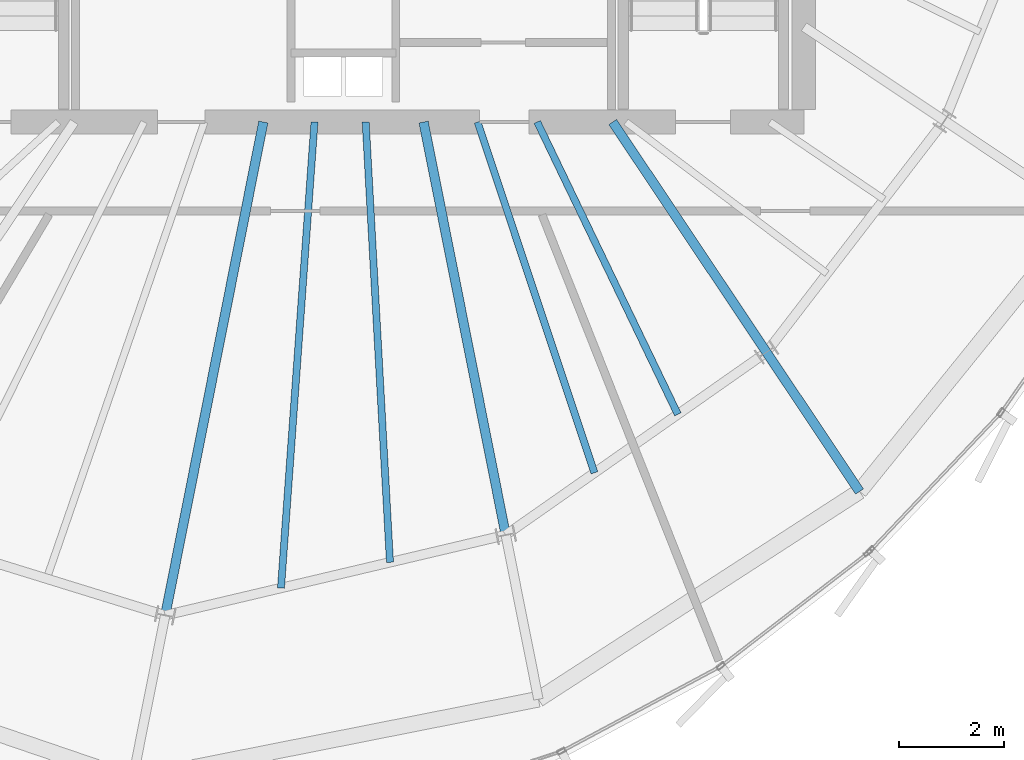
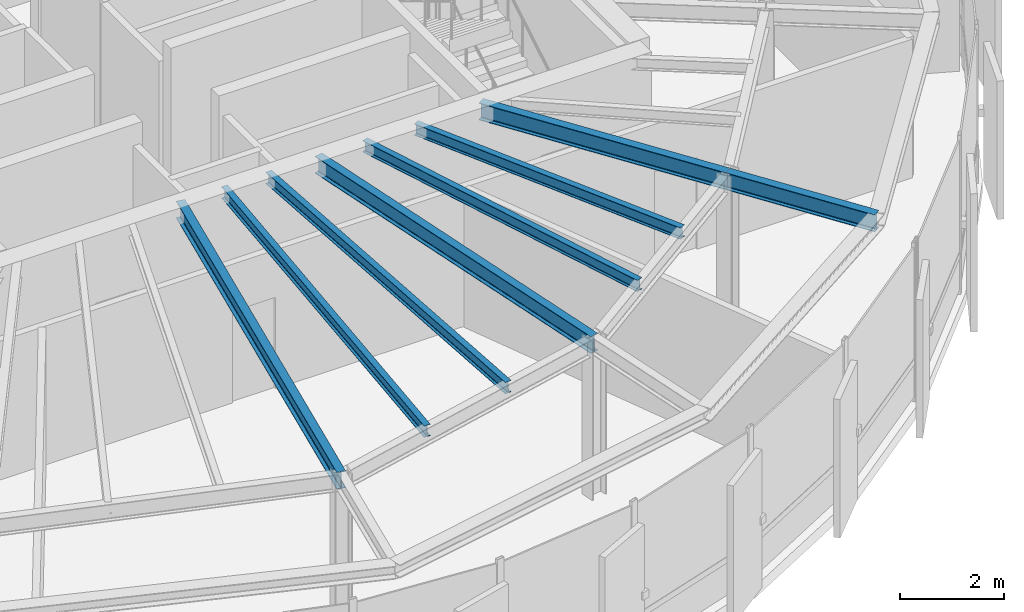
# One storey, part 8 of 25: 8 beams.
"""IFC4 building model written with IfcOpenShell, lengths in metres."""

from ifc_helpers import new_model, si_unit, direction, frame, origin, origin_2d, place, context, subcontext, project, spatial, i_section, extrude, source, transform, mapped, material, material_profile, profile_set, type_object, element, save


model = new_model("IFC4")

# Units and contexts
model_context = context("Model", 3, precision=1e-05, world=origin(), true_north=direction((0.0, 1.0)))
body_context = subcontext(model_context, "Body", "Model", "MODEL_VIEW")
ifc_project = project(units=[si_unit("LENGTHUNIT", "METRE"), si_unit("AREAUNIT", "SQUARE_METRE"), si_unit("VOLUMEUNIT", "CUBIC_METRE"), si_unit("PLANEANGLEUNIT", "RADIAN"), si_unit("MASSUNIT", "GRAM", prefix="KILO"), si_unit("THERMODYNAMICTEMPERATUREUNIT", "KELVIN")], contexts=[model_context])

# Site, building, storey
site_placement = place(None, origin())
site = spatial("IfcSite", under=ifc_project, at=site_placement, CompositionType="ELEMENT")
building_placement = place(site_placement, origin())
building = spatial("IfcBuilding", under=site, at=building_placement, Name="Kethvar Cultural Tower", CompositionType="ELEMENT")
storey_placement = place(building_placement, frame((0.0, 0.0, 304.300048828125)))
storey = spatial("IfcBuildingStorey", under=building, at=storey_placement, Name="L81", CompositionType="ELEMENT", Elevation=304.300048828125)

# Beams
ifc_material = material(Name="Steel S355J2", Category="steel")
ifc_material_profile_1 = material_profile(ifc_material, i_section(OverallWidth=0.135009765625, OverallDepth=0.27001953125, WebThickness=0.006591796875, FlangeThickness=0.01025390625, FilletRadius=0.014892578125, at=origin_2d()), Name="Steel S355J2 — IPE270")
ifc_profile_set_1 = profile_set([ifc_material_profile_1], Name="Steel S355J2 — IPE270")
beam_type_1 = type_object("IfcBeamType", Name="BM-J270", PredefinedType="JOIST", material=ifc_profile_set_1)
shared_shape_1 = source(origin(), body_context, "Body", "SweptSolid", [
    extrude(i_section(OverallWidth=0.135009765625, OverallDepth=0.27001953125, WebThickness=0.006591796875, FlangeThickness=0.01025390625, FilletRadius=0.014892578125, at=origin_2d()), origin(), (0.0, 0.0, 1.0), 8.9296875),
])
beam_1_placement = place(storey_placement, frame((46.246337890625, 20.10009765625, 3.597900390625), z_axis=(-0.071713352262, -0.99742528297, 0.0), x_axis=(0.99742528297, -0.071713352262, 0.0)))
element("IfcBeam", 1, at=beam_1_placement, inside=storey, type_object=beam_type_1, Name="L81 Composite Floor Joist J-12A", PredefinedType="JOIST", context=body_context, shape_type="MappedRepresentation", body=[
    mapped(shared_shape_1, transform((0.0, 0.0, 0.0), scale=1.0)),
])
shared_shape_2 = source(origin(), body_context, "Body", "SweptSolid", [
    extrude(i_section(OverallWidth=0.135009765625, OverallDepth=0.27001953125, WebThickness=0.006591796875, FlangeThickness=0.01025390625, FilletRadius=0.014892578125, at=origin_2d()), origin(), (0.0, 0.0, 1.0), 8.427978515625),
])
beam_2_placement = place(storey_placement, frame((47.224609375, 20.10009765625, 3.597900390625), z_axis=(0.055067321535, -0.998482643865, 0.0), x_axis=(0.998482643865, 0.055067321535, 0.0)))
element("IfcBeam", 2, at=beam_2_placement, inside=storey, type_object=beam_type_1, Name="L81 Composite Floor Joist J-12B", PredefinedType="JOIST", context=body_context, shape_type="MappedRepresentation", body=[
    mapped(shared_shape_2, transform((0.0, 0.0, 0.0), scale=1.0)),
])
shared_shape_3 = source(origin(), body_context, "Body", "SweptSolid", [
    extrude(i_section(OverallWidth=0.135009765625, OverallDepth=0.27001953125, WebThickness=0.006591796875, FlangeThickness=0.01025390625, FilletRadius=0.014892578125, at=origin_2d()), origin(), (0.0, 0.0, 1.0), 7.0673828125),
])
beam_3_placement = place(storey_placement, frame((49.363525390625, 20.10009765625, 3.597900390625), z_axis=(0.315875389768, -0.948800684095, 0.0), x_axis=(0.948800684095, 0.315875389768, 0.0)))
element("IfcBeam", 3, at=beam_3_placement, inside=storey, type_object=beam_type_1, Name="L81 Composite Floor Joist J-13A", PredefinedType="JOIST", context=body_context, shape_type="MappedRepresentation", body=[
    mapped(shared_shape_3, transform((0.0, 0.0, 0.0), scale=1.0)),
])
shared_shape_4 = source(origin(), body_context, "Body", "SweptSolid", [
    extrude(i_section(OverallWidth=0.135009765625, OverallDepth=0.27001953125, WebThickness=0.006591796875, FlangeThickness=0.01025390625, FilletRadius=0.014892578125, at=origin_2d()), origin(), (0.0, 0.0, 1.0), 6.2001953125),
])
beam_4_placement = place(storey_placement, frame((50.50341796875, 20.10009765625, 3.597900390625), z_axis=(0.433410678328, -0.901196529017, 0.0), x_axis=(0.901196529017, 0.433410678328, 0.0)))
element("IfcBeam", 4, at=beam_4_placement, inside=storey, type_object=beam_type_1, Name="L81 Composite Floor Joist J-13B", PredefinedType="JOIST", context=body_context, shape_type="MappedRepresentation", body=[
    mapped(shared_shape_4, transform((0.0, 0.0, 0.0), scale=1.0)),
])
ifc_material_profile_2 = material_profile(ifc_material, i_section(OverallWidth=0.179931640625, OverallDepth=0.39990234375, WebThickness=0.008544921875, FlangeThickness=0.013427734375, FilletRadius=0.02099609375, at=origin_2d()), Name="Steel S355J2 — IPE400")
ifc_profile_set_2 = profile_set([ifc_material_profile_2], Name="Steel S355J2 — IPE400")
beam_type_2 = type_object("IfcBeamType", Name="BM-IPE400", PredefinedType="BEAM", material=ifc_profile_set_2)
shared_shape_5 = source(origin(), body_context, "Body", "SweptSolid", [
    extrude(i_section(OverallWidth=0.179931640625, OverallDepth=0.39990234375, WebThickness=0.008544921875, FlangeThickness=0.013427734375, FilletRadius=0.02099609375, at=origin_2d()), origin(), (0.0, 0.0, 1.0), 3.199951171875),
])
beam_5_placement = place(storey_placement, frame((54.885009765625, 15.7001953125, 3.532958984375), z_axis=(0.555492222339, -0.83152173208, 0.0), x_axis=(0.83152173208, 0.555492222339, 0.0)))
element("IfcBeam", 5, at=beam_5_placement, inside=storey, type_object=beam_type_2, Name="L81 Perimeter Cantilever Beam RC-14", PredefinedType="BEAM", context=body_context, shape_type="MappedRepresentation", body=[
    mapped(shared_shape_5, transform((0.0, 0.0, 0.0), scale=1.0)),
])
shared_shape_6 = source(origin(), body_context, "Body", "SweptSolid", [
    extrude(i_section(OverallWidth=0.179931640625, OverallDepth=0.39990234375, WebThickness=0.008544921875, FlangeThickness=0.013427734375, FilletRadius=0.02099609375, at=origin_2d()), origin(), (0.0, 0.0, 1.0), 9.613525390625),
])
beam_6_placement = place(storey_placement, frame((45.268310546875, 20.10009765625, 3.532958984375), z_axis=(-0.195090428816, -0.980785259159, 0.0), x_axis=(0.980785259159, -0.195090428816, 0.0)))
element("IfcBeam", 6, at=beam_6_placement, inside=storey, type_object=beam_type_2, Name="L81 Primary Radial Beam RB-12", PredefinedType="BEAM", context=body_context, shape_type="MappedRepresentation", body=[
    mapped(shared_shape_6, transform((0.0, 0.0, 0.0), scale=1.0)),
])
shared_shape_7 = source(origin(), body_context, "Body", "SweptSolid", [
    extrude(i_section(OverallWidth=0.179931640625, OverallDepth=0.39990234375, WebThickness=0.008544921875, FlangeThickness=0.013427734375, FilletRadius=0.02099609375, at=origin_2d()), origin(), (0.0, 0.0, 1.0), 8.0478515625),
])
beam_7_placement = place(storey_placement, frame((48.33154296875, 20.10009765625, 3.532958984375), z_axis=(0.195089278796, -0.980785487912, 0.0), x_axis=(0.980785487912, 0.195089278796, 0.0)))
element("IfcBeam", 7, at=beam_7_placement, inside=storey, type_object=beam_type_2, Name="L81 Primary Radial Beam RB-13", PredefinedType="BEAM", context=body_context, shape_type="MappedRepresentation", body=[
    mapped(shared_shape_7, transform((0.0, 0.0, 0.0), scale=1.0)),
])
shared_shape_8 = source(origin(), body_context, "Body", "SweptSolid", [
    extrude(i_section(OverallWidth=0.179931640625, OverallDepth=0.39990234375, WebThickness=0.008544921875, FlangeThickness=0.013427734375, FilletRadius=0.02099609375, at=origin_2d()), origin(), (0.0, 0.0, 1.0), 5.291748046875),
])
beam_8_placement = place(storey_placement, frame((51.945068359375, 20.10009765625, 3.532958984375), z_axis=(0.555572931011, -0.831467809556, 0.0), x_axis=(0.831467809556, 0.555572931011, 0.0)))
element("IfcBeam", 8, at=beam_8_placement, inside=storey, type_object=beam_type_2, Name="L81 Primary Radial Beam RB-14", PredefinedType="BEAM", context=body_context, shape_type="MappedRepresentation", body=[
    mapped(shared_shape_8, transform((0.0, 0.0, 0.0), scale=1.0)),
])

save(model, "model.ifc")
